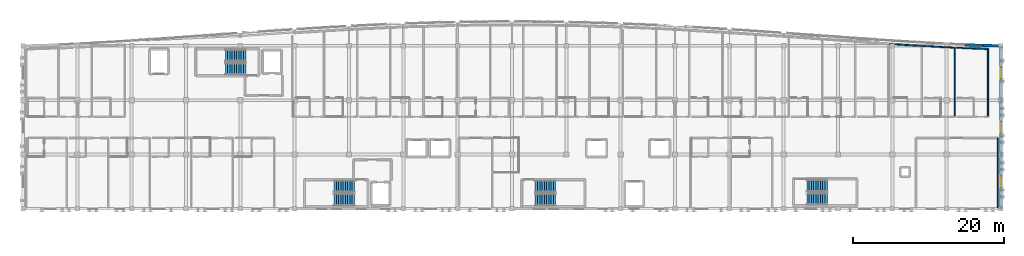
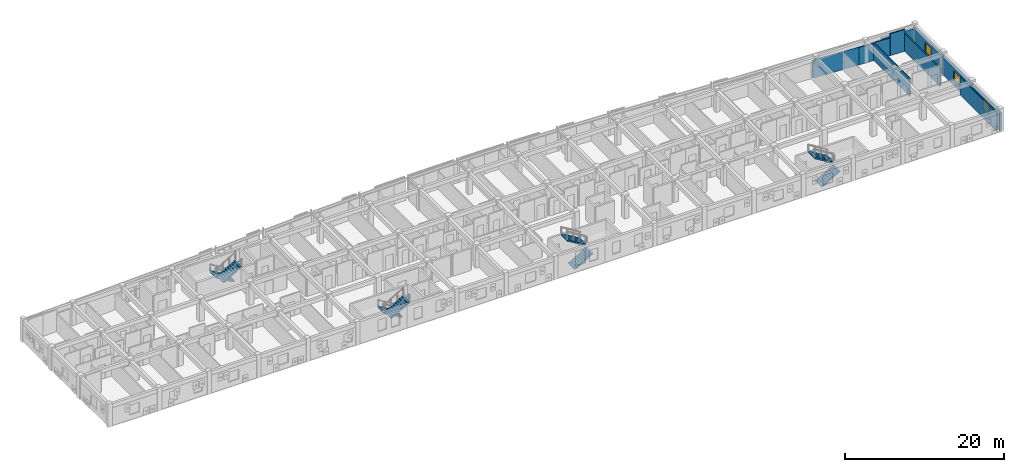
# One storey, part 44 of 48: 13 walls, 8 stair flights, 3 windows, 3 openings, 4 elements without a shape of their own.
"""IFC4 building model written with IfcOpenShell, lengths in metres."""

from ifc_helpers import new_model, si_unit, direction, frame, frame_2d, origin, place, context, subcontext, project, spatial, polyline, rectangle, outline, extrude, material, layer, layer_set, type_object, element, fill, aggregate, save


model = new_model("IFC4")

# Units and contexts
model_context = context("Model", 3, precision=1e-05, world=origin(), true_north=direction((0.0, 1.0)))
body_context = subcontext(model_context, "Body", "Model", "MODEL_VIEW")
ifc_project = project(units=[si_unit("LENGTHUNIT", "METRE"), si_unit("AREAUNIT", "SQUARE_METRE"), si_unit("VOLUMEUNIT", "CUBIC_METRE"), si_unit("PLANEANGLEUNIT", "RADIAN"), si_unit("MASSUNIT", "GRAM", prefix="KILO")], contexts=[model_context])

# Site, building, storey
site_placement = place(None, origin())
site = spatial("IfcSite", under=ifc_project, at=site_placement, CompositionType="ELEMENT")
building_placement = place(site_placement, origin())
building = spatial("IfcBuilding", under=site, at=building_placement, Name="Carrowvane Square Congress Hotel", CompositionType="ELEMENT")
storey_placement = place(building_placement, frame((0.0, 0.0, 26.39990234375)))
storey = spatial("IfcBuildingStorey", under=building, at=storey_placement, Name="L06", CompositionType="ELEMENT", Elevation=26.39990234375)

# Walls
ifc_material_1 = material(Name="Glazed terracotta rainscreen", Category="masonry")
ifc_layer_1 = layer(ifc_material_1, 0.360107421875)
ifc_layer_set_1 = layer_set([ifc_layer_1], Name="Glazed terracotta rainscreen")
wall_type_1 = type_object("IfcWallType", Name="WL-EXT-TC360", PredefinedType="STANDARD", material=ifc_layer_set_1)
wall_1_placement = place(storey_placement, frame((158.0, 113.541015625, 0.0), z_axis=(0.0, 0.0, 1.0), x_axis=(0.99930757318, -0.037207179225, 0.0)))
element("IfcWall", 1, at=wall_1_placement, inside=storey, type_object=wall_type_1, Name="L06 exterior facade wall 481", PredefinedType="STANDARD", context=body_context, shape_type="SweptSolid", body=[
    extrude(rectangle(XDim=2.401611328125, YDim=0.360107421875, at=frame_2d((1.20068359375, 0.0))), origin(), (0.0, 0.0, 1.0), 2.735107421875),
])
wall_2_placement = place(storey_placement, frame((160.39990234375, 113.45166015625, 0.0), z_axis=(0.0, 0.0, 1.0), x_axis=(0.999767568547, -0.021559426766, 0.0)))
element("IfcWall", 2, at=wall_2_placement, inside=storey, type_object=wall_type_1, Name="L06 exterior facade wall 482", PredefinedType="STANDARD", context=body_context, shape_type="SweptSolid", body=[
    extrude(rectangle(XDim=2.400634765625, YDim=0.360107421875, at=frame_2d((1.2001953125, 0.0))), origin(), (0.0, 0.0, 1.0), 2.735107421875),
])

# Wall, opening, window
wall_3_placement = place(storey_placement, frame((162.800048828125, 113.39990234375, 0.0), z_axis=(0.0, 0.0, 1.0), x_axis=(0.0, -1.0, 0.0)))
wall_3 = element("IfcWall", 3, at=wall_3_placement, inside=storey, type_object=wall_type_1, Name="L06 exterior facade wall 483", PredefinedType="STANDARD", context=body_context, shape_type="SweptSolid", body=[
    extrude(rectangle(XDim=7.199951171875, YDim=0.360107421875, at=frame_2d((3.60009765625, 0.0))), origin(), (0.0, 0.0, 1.0), 2.68505859375),
])
opening_1_placement = place(wall_3_placement, frame((2.85009765625, 0.0, 0.75)))
opening_1 = element("IfcOpeningElement", 4, at=opening_1_placement, cuts=wall_3, Name="Opening W-15", PredefinedType="OPENING", context=body_context, shape_type="SweptSolid", body=[
    extrude(rectangle(XDim=1.5, YDim=1.5, at=frame_2d((0.75, 0.75))), frame((0.0, 0.18994140625, 0.0), z_axis=(0.0, -1.0, 0.0), x_axis=(1.0, 0.0, 0.0)), (0.0, 0.0, 1.0), 0.380126953125),
])
ifc_material_2 = material(Name="Double-glazed low-E glass", Category="glass")
window_type = type_object("IfcWindowType", Name="WIN-15", PartitioningType="SINGLE_PANEL", PredefinedType="WINDOW", material=ifc_material_2)
window_1_placement = place(opening_1_placement, origin())
window_1 = element("IfcWindow", 5, at=window_1_placement, inside=storey, type_object=window_type, Name="L06 facade window 313", OverallHeight=1.5, OverallWidth=1.5, PartitioningType="SINGLE_PANEL", PredefinedType="WINDOW", context=body_context, shape_type="SweptSolid", body=[
    extrude(rectangle(XDim=1.5, YDim=1.5, at=frame_2d((0.75, 0.75))), frame((0.0, 0.030029296875, 0.0), z_axis=(0.0, -1.0, 0.0), x_axis=(1.0, 0.0, 0.0)), (0.0, 0.0, 1.0), 0.06005859375),
])
fill(opening_1, window_1)

wall_4_placement = place(storey_placement, frame((162.800048828125, 106.199951171875, 0.0), z_axis=(0.0, 0.0, 1.0), x_axis=(0.0, -1.0, 0.0)))
wall_4 = element("IfcWall", 6, at=wall_4_placement, inside=storey, type_object=wall_type_1, Name="L06 exterior facade wall 484", PredefinedType="STANDARD", context=body_context, shape_type="SweptSolid", body=[
    extrude(rectangle(XDim=7.199951171875, YDim=0.360107421875, at=frame_2d((3.60009765625, 0.0))), origin(), (0.0, 0.0, 1.0), 2.68505859375),
])
opening_2_placement = place(wall_4_placement, frame((2.85009765625, 0.0, 0.75)))
opening_2 = element("IfcOpeningElement", 7, at=opening_2_placement, cuts=wall_4, Name="Opening W-15", PredefinedType="OPENING", context=body_context, shape_type="SweptSolid", body=[
    extrude(rectangle(XDim=1.5, YDim=1.5, at=frame_2d((0.75, 0.75))), frame((0.0, 0.18994140625, 0.0), z_axis=(0.0, -1.0, 0.0), x_axis=(1.0, 0.0, 0.0)), (0.0, 0.0, 1.0), 0.380126953125),
])
window_2_placement = place(opening_2_placement, origin())
window_2 = element("IfcWindow", 8, at=window_2_placement, inside=storey, type_object=window_type, Name="L06 facade window 314", OverallHeight=1.5, OverallWidth=1.5, PartitioningType="SINGLE_PANEL", PredefinedType="WINDOW", context=body_context, shape_type="SweptSolid", body=[
    extrude(rectangle(XDim=1.5, YDim=1.5, at=frame_2d((0.75, 0.75))), frame((0.0, 0.030029296875, 0.0), z_axis=(0.0, -1.0, 0.0), x_axis=(1.0, 0.0, 0.0)), (0.0, 0.0, 1.0), 0.06005859375),
])
fill(opening_2, window_2)

wall_5_placement = place(storey_placement, frame((162.800048828125, 99.0, 0.0), z_axis=(0.0, 0.0, 1.0), x_axis=(0.0, -1.0, 0.0)))
wall_5 = element("IfcWall", 9, at=wall_5_placement, inside=storey, type_object=wall_type_1, Name="L06 exterior facade wall 485", PredefinedType="STANDARD", context=body_context, shape_type="SweptSolid", body=[
    extrude(rectangle(XDim=7.199951171875, YDim=0.360107421875, at=frame_2d((3.60009765625, 0.0))), origin(), (0.0, 0.0, 1.0), 2.68505859375),
])
opening_3_placement = place(wall_5_placement, frame((2.85009765625, 0.0, 0.75)))
opening_3 = element("IfcOpeningElement", 10, at=opening_3_placement, cuts=wall_5, Name="Opening W-15", PredefinedType="OPENING", context=body_context, shape_type="SweptSolid", body=[
    extrude(rectangle(XDim=1.5, YDim=1.5, at=frame_2d((0.75, 0.75))), frame((0.0, 0.18994140625, 0.0), z_axis=(0.0, -1.0, 0.0), x_axis=(1.0, 0.0, 0.0)), (0.0, 0.0, 1.0), 0.380126953125),
])
window_3_placement = place(opening_3_placement, origin())
window_3 = element("IfcWindow", 11, at=window_3_placement, inside=storey, type_object=window_type, Name="L06 facade window 315", OverallHeight=1.5, OverallWidth=1.5, PartitioningType="SINGLE_PANEL", PredefinedType="WINDOW", context=body_context, shape_type="SweptSolid", body=[
    extrude(rectangle(XDim=1.5, YDim=1.5, at=frame_2d((0.75, 0.75))), frame((0.0, 0.030029296875, 0.0), z_axis=(0.0, -1.0, 0.0), x_axis=(1.0, 0.0, 0.0)), (0.0, 0.0, 1.0), 0.06005859375),
])
fill(opening_3, window_3)

# Walls
ifc_material_3 = material(Name="Acoustic gypsum board", Category="gypsum")
ifc_layer_2 = layer(ifc_material_3, 0.155029296875)
ifc_layer_set_2 = layer_set([ifc_layer_2], Name="Acoustic gypsum board")
wall_type_2 = type_object("IfcWallType", Name="WL-FIR-155", PredefinedType="PARTITIONING", material=ifc_layer_set_2)
wall_6_placement = place(storey_placement, frame((162.35009765625, 101.199951171875, 0.0), z_axis=(0.0, 0.0, 1.0), x_axis=(0.0, -1.0, 0.0)))
element("IfcWall", 12, at=wall_6_placement, inside=storey, type_object=wall_type_2, Name="L06 L06 Diplomatic Reception Lounge partition", PredefinedType="PARTITIONING", context=body_context, shape_type="SweptSolid", body=[
    extrude(rectangle(XDim=9.239990234375, YDim=0.155029296875, at=frame_2d((4.6201171875, 0.0))), origin(), (0.0, 0.0, 1.0), 2.735107421875),
])
wall_7_placement = place(storey_placement, frame((152.449951171875, 113.375732421875, 0.0), z_axis=(0.0, 0.0, 1.0), x_axis=(0.998463182117, -0.055419075746, 0.0)))
element("IfcWall", 13, at=wall_7_placement, inside=storey, type_object=wall_type_2, Name="L06 Parkview Guest Bedroom 0631 partition", PredefinedType="PARTITIONING", context=body_context, shape_type="SweptSolid", body=[
    extrude(rectangle(XDim=2.123291015625, YDim=0.155029296875, at=frame_2d((1.0615234375, 0.0))), origin(), (0.0, 0.0, 1.0), 2.735107421875),
])
ifc_material_4 = material(Name="Acoustic gypsum board", Category="gypsum")
ifc_layer_3 = layer(ifc_material_4, 0.169921875)
ifc_layer_set_3 = layer_set([ifc_layer_3], Name="Acoustic gypsum board")
wall_type_3 = type_object("IfcWallType", Name="WL-FIR-170", PredefinedType="PARTITIONING", material=ifc_layer_set_3)
wall_8_placement = place(storey_placement, frame((148.050048828125, 113.648681640625, 0.0), z_axis=(0.0, 0.0, 1.0), x_axis=(0.998071984582, -0.062067008887, 0.0)))
element("IfcWall", 14, at=wall_8_placement, inside=storey, type_object=wall_type_3, Name="L06 Parkview Guest Bedroom 0630 partition", PredefinedType="PARTITIONING", context=body_context, shape_type="SweptSolid", body=[
    extrude(rectangle(XDim=4.248291015625, YDim=0.169921875, at=frame_2d((2.1240234375, 0.0))), origin(), (0.0, 0.0, 1.0), 2.735107421875),
])
wall_9_placement = place(storey_placement, frame((161.090087890625, 112.98681640625, 0.0), z_axis=(0.0, 0.0, 1.0), x_axis=(0.0, -1.0, 0.0)))
element("IfcWall", 15, at=wall_9_placement, inside=storey, type_object=wall_type_3, Name="L06 Parkview Guest Bedroom 0632 partition", PredefinedType="PARTITIONING", context=body_context, shape_type="SweptSolid", body=[
    extrude(rectangle(XDim=8.98681640625, YDim=0.169921875, at=frame_2d((4.493408203125, 0.0))), origin(), (0.0, 0.0, 1.0), 2.735107421875),
])
ifc_material_5 = material(Name="Acoustic gypsum board", Category="gypsum")
ifc_layer_4 = layer(ifc_material_5, 0.18505859375)
ifc_layer_set_4 = layer_set([ifc_layer_4], Name="Acoustic gypsum board")
wall_type_4 = type_object("IfcWallType", Name="WL-FIR-185", PredefinedType="PARTITIONING", material=ifc_layer_set_4)
wall_10_placement = place(storey_placement, frame((158.969970703125, 113.054931640625, 0.0), z_axis=(0.0, 0.0, 1.0), x_axis=(0.999484293355, -0.032111482939, 0.0)))
element("IfcWall", 16, at=wall_10_placement, inside=storey, type_object=wall_type_4, Name="L06 Parkview Guest Bedroom 0632 partition", PredefinedType="PARTITIONING", context=body_context, shape_type="SweptSolid", body=[
    extrude(rectangle(XDim=2.12109375, YDim=0.18505859375, at=frame_2d((1.060546875, 0.0))), origin(), (0.0, 0.0, 1.0), 3.35009765625),
])
ifc_material_6 = material(Name="Acoustic gypsum board", Category="gypsum")
ifc_layer_5 = layer(ifc_material_6, 0.137939453125)
ifc_layer_set_5 = layer_set([ifc_layer_5], Name="Acoustic gypsum board")
wall_type_5 = type_object("IfcWallType", Name="WL-PRT-138", PredefinedType="PARTITIONING", material=ifc_layer_set_5)
wall_11_placement = place(storey_placement, frame((156.68994140625, 113.152099609375, 0.0), z_axis=(0.0, 0.0, 1.0), x_axis=(0.0, -1.0, 0.0)))
element("IfcWall", 17, at=wall_11_placement, inside=storey, type_object=wall_type_5, Name="L06 Parkview Guest Bedroom 0631 partition", PredefinedType="PARTITIONING", context=body_context, shape_type="SweptSolid", body=[
    extrude(rectangle(XDim=9.152099609375, YDim=0.137939453125, at=frame_2d((4.576171875, 0.0))), origin(), (0.0, 0.0, 1.0), 2.735107421875),
])
wall_12_placement = place(storey_placement, frame((156.85009765625, 113.14453125, 0.0), z_axis=(0.0, 0.0, 1.0), x_axis=(0.99910796659, -0.042228794626, 0.0)))
element("IfcWall", 18, at=wall_12_placement, inside=storey, type_object=wall_type_5, Name="L06 Parkview Guest Bedroom 0632 partition", PredefinedType="PARTITIONING", context=body_context, shape_type="SweptSolid", body=[
    extrude(rectangle(XDim=2.121826171875, YDim=0.137939453125, at=frame_2d((1.06103515625, 0.0))), origin(), (0.0, 0.0, 1.0), 2.735107421875),
])
ifc_material_7 = material(Name="Acoustic gypsum board", Category="gypsum")
ifc_layer_6 = layer(ifc_material_7, 0.14794921875)
ifc_layer_set_6 = layer_set([ifc_layer_6], Name="Acoustic gypsum board")
wall_type_6 = type_object("IfcWallType", Name="WL-PRT-148", PredefinedType="PARTITIONING", material=ifc_layer_set_6)
wall_13_placement = place(storey_placement, frame((154.570068359375, 113.258056640625, 0.0), z_axis=(0.0, 0.0, 1.0), x_axis=(0.998753199258, -0.049920406366, 0.0)))
element("IfcWall", 19, at=wall_13_placement, inside=storey, type_object=wall_type_6, Name="L06 Parkview Guest Bedroom 0631 partition", PredefinedType="PARTITIONING", context=body_context, shape_type="SweptSolid", body=[
    extrude(rectangle(XDim=2.12255859375, YDim=0.14794921875, at=frame_2d((1.061279296875, 0.0))), origin(), (0.0, 0.0, 1.0), 2.68505859375),
])

# Stair, stair flights
ifc_material_8 = material(Name="Concrete C35/45", Category="concrete")
stair_type = type_object("IfcStairType", Name="STR-DOG-02", PredefinedType="HALF_TURN_STAIR", material=ifc_material_8)
stair_1_placement = place(storey_placement, origin())
stair_1 = element("IfcStair", 20, at=stair_1_placement, inside=storey, type_object=stair_type, Name="L06 Core C1 West Hotel Firefighting Stair", PredefinedType="HALF_TURN_STAIR")
ifc_material_9 = material(Name="Concrete C35/45", Category="concrete")
stair_flight_type = type_object("IfcStairFlightType", Name="SFL-STR-02", PredefinedType="STRAIGHT", material=ifc_material_9)
stair_flight_1_placement = place(storey_placement, frame((62.719970703125, 112.110107421875, 0.0), z_axis=(0.0, 0.0, 1.0), x_axis=(-1.0, 0.0, 0.0)))
stair_flight_1 = element("IfcStairFlight", 21, at=stair_flight_1_placement, type_object=stair_flight_type, Name="ST1 flight 1", NumberOfRisers=10, NumberOfTreads=9, PredefinedType="STRAIGHT", RiserHeight=0.18, TreadLength=0.3, context=body_context, shape_type="SweptSolid", body=[
    extrude(outline(polyline([(0.0, 0.0), (0.0, 0.179931640625), (0.300048828125, 0.179931640625), (0.300048828125, 0.360107421875), (0.60009765625, 0.360107421875), (0.60009765625, 0.5400390625), (0.89990234375, 0.5400390625), (0.89990234375, 0.719970703125), (1.199951171875, 0.719970703125), (1.199951171875, 0.89990234375), (1.5, 0.89990234375), (1.5, 1.080078125), (1.800048828125, 1.080078125), (1.800048828125, 1.260009765625), (2.10009765625, 1.260009765625), (2.10009765625, 1.43994140625), (2.39990234375, 1.43994140625), (2.39990234375, 1.6201171875), (2.699951171875, 1.6201171875), (2.699951171875, 1.800048828125), (2.699951171875, 1.445068359375), (0.291259765625, 0.0), (0.0, 0.0)])), frame((0.0, 0.7900390625, 0.0), z_axis=(0.0, -1.0, 0.0), x_axis=(1.0, 0.0, 0.0)), (0.0, 0.0, 1.0), 1.580078125),
])
stair_flight_2_placement = place(storey_placement, frame((60.02001953125, 110.330078125, 1.800048828125), z_axis=(0.0, 0.0, 1.0), x_axis=(1.0, 0.0, 0.0)))
stair_flight_2 = element("IfcStairFlight", 22, at=stair_flight_2_placement, type_object=stair_flight_type, Name="ST1 flight 2", NumberOfRisers=10, NumberOfTreads=9, PredefinedType="STRAIGHT", RiserHeight=0.18, TreadLength=0.3, context=body_context, shape_type="SweptSolid", body=[
    extrude(outline(polyline([(0.0, 0.0), (0.0, 0.179931640625), (0.300048828125, 0.179931640625), (0.300048828125, 0.360107421875), (0.60009765625, 0.360107421875), (0.60009765625, 0.5400390625), (0.89990234375, 0.5400390625), (0.89990234375, 0.719970703125), (1.199951171875, 0.719970703125), (1.199951171875, 0.89990234375), (1.5, 0.89990234375), (1.5, 1.080078125), (1.800048828125, 1.080078125), (1.800048828125, 1.260009765625), (2.10009765625, 1.260009765625), (2.10009765625, 1.43994140625), (2.39990234375, 1.43994140625), (2.39990234375, 1.6201171875), (2.699951171875, 1.6201171875), (2.699951171875, 1.800048828125), (2.699951171875, 1.445068359375), (0.291259765625, 0.0), (0.0, 0.0)])), frame((0.0, 0.7900390625, 0.0), z_axis=(0.0, -1.0, 0.0), x_axis=(1.0, 0.0, 0.0)), (0.0, 0.0, 1.0), 1.580078125),
])
aggregate(stair_1, [stair_flight_1, stair_flight_2])

stair_2_placement = place(storey_placement, origin())
stair_2 = element("IfcStair", 23, at=stair_2_placement, inside=storey, type_object=stair_type, Name="L06 Core C2 Central Hotel Firefighting Stair", PredefinedType="HALF_TURN_STAIR")
stair_flight_3_placement = place(storey_placement, frame((77.1201171875, 94.77001953125, 0.0), z_axis=(0.0, 0.0, 1.0), x_axis=(-1.0, 0.0, 0.0)))
stair_flight_3 = element("IfcStairFlight", 24, at=stair_flight_3_placement, type_object=stair_flight_type, Name="ST2 flight 1", NumberOfRisers=10, NumberOfTreads=9, PredefinedType="STRAIGHT", RiserHeight=0.18, TreadLength=0.3, context=body_context, shape_type="SweptSolid", body=[
    extrude(outline(polyline([(0.0, 0.0), (0.0, 0.179931640625), (0.300048828125, 0.179931640625), (0.300048828125, 0.360107421875), (0.60009765625, 0.360107421875), (0.60009765625, 0.5400390625), (0.89990234375, 0.5400390625), (0.89990234375, 0.719970703125), (1.199951171875, 0.719970703125), (1.199951171875, 0.89990234375), (1.5, 0.89990234375), (1.5, 1.080078125), (1.800048828125, 1.080078125), (1.800048828125, 1.260009765625), (2.10009765625, 1.260009765625), (2.10009765625, 1.43994140625), (2.39990234375, 1.43994140625), (2.39990234375, 1.6201171875), (2.699951171875, 1.6201171875), (2.699951171875, 1.800048828125), (2.699951171875, 1.445068359375), (0.291259765625, 0.0), (0.0, 0.0)])), frame((0.0, 0.7900390625, 0.0), z_axis=(0.0, -1.0, 0.0), x_axis=(1.0, 0.0, 0.0)), (0.0, 0.0, 1.0), 1.580078125),
])
stair_flight_4_placement = place(storey_placement, frame((74.419921875, 92.989990234375, 1.800048828125), z_axis=(0.0, 0.0, 1.0), x_axis=(1.0, 0.0, 0.0)))
stair_flight_4 = element("IfcStairFlight", 25, at=stair_flight_4_placement, type_object=stair_flight_type, Name="ST2 flight 2", NumberOfRisers=10, NumberOfTreads=9, PredefinedType="STRAIGHT", RiserHeight=0.18, TreadLength=0.3, context=body_context, shape_type="SweptSolid", body=[
    extrude(outline(polyline([(0.0, 0.0), (0.0, 0.179931640625), (0.300048828125, 0.179931640625), (0.300048828125, 0.360107421875), (0.60009765625, 0.360107421875), (0.60009765625, 0.5400390625), (0.89990234375, 0.5400390625), (0.89990234375, 0.719970703125), (1.199951171875, 0.719970703125), (1.199951171875, 0.89990234375), (1.5, 0.89990234375), (1.5, 1.080078125), (1.800048828125, 1.080078125), (1.800048828125, 1.260009765625), (2.10009765625, 1.260009765625), (2.10009765625, 1.43994140625), (2.39990234375, 1.43994140625), (2.39990234375, 1.6201171875), (2.699951171875, 1.6201171875), (2.699951171875, 1.800048828125), (2.699951171875, 1.445068359375), (0.291259765625, 0.0), (0.0, 0.0)])), frame((0.0, 0.7900390625, 0.0), z_axis=(0.0, -1.0, 0.0), x_axis=(1.0, 0.0, 0.0)), (0.0, 0.0, 1.0), 1.580078125),
])
aggregate(stair_2, [stair_flight_3, stair_flight_4])

stair_3_placement = place(storey_placement, origin())
stair_3 = element("IfcStair", 26, at=stair_3_placement, inside=storey, type_object=stair_type, Name="L06 Core C3 East Hotel Escape Stair", PredefinedType="HALF_TURN_STAIR")
stair_flight_5_placement = place(storey_placement, frame((101.080078125, 92.989990234375, 0.0), z_axis=(0.0, 0.0, 1.0), x_axis=(1.0, 0.0, 0.0)))
stair_flight_5 = element("IfcStairFlight", 27, at=stair_flight_5_placement, type_object=stair_flight_type, Name="ST3 flight 1", NumberOfRisers=10, NumberOfTreads=9, PredefinedType="STRAIGHT", RiserHeight=0.18, TreadLength=0.3, context=body_context, shape_type="SweptSolid", body=[
    extrude(outline(polyline([(0.0, 0.0), (0.0, 0.179931640625), (0.300048828125, 0.179931640625), (0.300048828125, 0.360107421875), (0.60009765625, 0.360107421875), (0.60009765625, 0.5400390625), (0.89990234375, 0.5400390625), (0.89990234375, 0.719970703125), (1.199951171875, 0.719970703125), (1.199951171875, 0.89990234375), (1.5, 0.89990234375), (1.5, 1.080078125), (1.800048828125, 1.080078125), (1.800048828125, 1.260009765625), (2.10009765625, 1.260009765625), (2.10009765625, 1.43994140625), (2.39990234375, 1.43994140625), (2.39990234375, 1.6201171875), (2.699951171875, 1.6201171875), (2.699951171875, 1.800048828125), (2.699951171875, 1.445068359375), (0.291259765625, 0.0), (0.0, 0.0)])), frame((0.0, 0.7900390625, 0.0), z_axis=(0.0, -1.0, 0.0), x_axis=(1.0, 0.0, 0.0)), (0.0, 0.0, 1.0), 1.580078125),
])
stair_flight_6_placement = place(storey_placement, frame((103.780029296875, 94.77001953125, 1.800048828125), z_axis=(0.0, 0.0, 1.0), x_axis=(-1.0, 0.0, 0.0)))
stair_flight_6 = element("IfcStairFlight", 28, at=stair_flight_6_placement, type_object=stair_flight_type, Name="ST3 flight 2", NumberOfRisers=10, NumberOfTreads=9, PredefinedType="STRAIGHT", RiserHeight=0.18, TreadLength=0.3, context=body_context, shape_type="SweptSolid", body=[
    extrude(outline(polyline([(0.0, 0.0), (0.0, 0.179931640625), (0.300048828125, 0.179931640625), (0.300048828125, 0.360107421875), (0.60009765625, 0.360107421875), (0.60009765625, 0.5400390625), (0.89990234375, 0.5400390625), (0.89990234375, 0.719970703125), (1.199951171875, 0.719970703125), (1.199951171875, 0.89990234375), (1.5, 0.89990234375), (1.5, 1.080078125), (1.800048828125, 1.080078125), (1.800048828125, 1.260009765625), (2.10009765625, 1.260009765625), (2.10009765625, 1.43994140625), (2.39990234375, 1.43994140625), (2.39990234375, 1.6201171875), (2.699951171875, 1.6201171875), (2.699951171875, 1.800048828125), (2.699951171875, 1.445068359375), (0.291259765625, 0.0), (0.0, 0.0)])), frame((0.0, 0.7900390625, 0.0), z_axis=(0.0, -1.0, 0.0), x_axis=(1.0, 0.0, 0.0)), (0.0, 0.0, 1.0), 1.580078125),
])
aggregate(stair_3, [stair_flight_5, stair_flight_6])

stair_4_placement = place(storey_placement, origin())
stair_4 = element("IfcStair", 29, at=stair_4_placement, inside=storey, type_object=stair_type, Name="L06 East Hotel Wing Escape Stair", PredefinedType="HALF_TURN_STAIR")
stair_flight_7_placement = place(storey_placement, frame((137.080078125, 93.090087890625, 0.0), z_axis=(0.0, 0.0, 1.0), x_axis=(1.0, 0.0, 0.0)))
stair_flight_7 = element("IfcStairFlight", 30, at=stair_flight_7_placement, type_object=stair_flight_type, Name="ST12 flight 1", NumberOfRisers=10, NumberOfTreads=9, PredefinedType="STRAIGHT", RiserHeight=0.18, TreadLength=0.3, context=body_context, shape_type="SweptSolid", body=[
    extrude(outline(polyline([(0.0, 0.0), (0.0, 0.179931640625), (0.300048828125, 0.179931640625), (0.300048828125, 0.360107421875), (0.60009765625, 0.360107421875), (0.60009765625, 0.5400390625), (0.89990234375, 0.5400390625), (0.89990234375, 0.719970703125), (1.199951171875, 0.719970703125), (1.199951171875, 0.89990234375), (1.5, 0.89990234375), (1.5, 1.080078125), (1.800048828125, 1.080078125), (1.800048828125, 1.260009765625), (2.10009765625, 1.260009765625), (2.10009765625, 1.43994140625), (2.39990234375, 1.43994140625), (2.39990234375, 1.6201171875), (2.699951171875, 1.6201171875), (2.699951171875, 1.800048828125), (2.699951171875, 1.445068359375), (0.291259765625, 0.0), (0.0, 0.0)])), frame((0.0, 0.7900390625, 0.0), z_axis=(0.0, -1.0, 0.0), x_axis=(1.0, 0.0, 0.0)), (0.0, 0.0, 1.0), 1.580078125),
])
stair_flight_8_placement = place(storey_placement, frame((139.780029296875, 94.8701171875, 1.800048828125), z_axis=(0.0, 0.0, 1.0), x_axis=(-1.0, 0.0, 0.0)))
stair_flight_8 = element("IfcStairFlight", 31, at=stair_flight_8_placement, type_object=stair_flight_type, Name="ST12 flight 2", NumberOfRisers=10, NumberOfTreads=9, PredefinedType="STRAIGHT", RiserHeight=0.18, TreadLength=0.3, context=body_context, shape_type="SweptSolid", body=[
    extrude(outline(polyline([(0.0, 0.0), (0.0, 0.179931640625), (0.300048828125, 0.179931640625), (0.300048828125, 0.360107421875), (0.60009765625, 0.360107421875), (0.60009765625, 0.5400390625), (0.89990234375, 0.5400390625), (0.89990234375, 0.719970703125), (1.199951171875, 0.719970703125), (1.199951171875, 0.89990234375), (1.5, 0.89990234375), (1.5, 1.080078125), (1.800048828125, 1.080078125), (1.800048828125, 1.260009765625), (2.10009765625, 1.260009765625), (2.10009765625, 1.43994140625), (2.39990234375, 1.43994140625), (2.39990234375, 1.6201171875), (2.699951171875, 1.6201171875), (2.699951171875, 1.800048828125), (2.699951171875, 1.445068359375), (0.291259765625, 0.0), (0.0, 0.0)])), frame((0.0, 0.7900390625, 0.0), z_axis=(0.0, -1.0, 0.0), x_axis=(1.0, 0.0, 0.0)), (0.0, 0.0, 1.0), 1.580078125),
])
aggregate(stair_4, [stair_flight_7, stair_flight_8])

save(model, "model.ifc")
